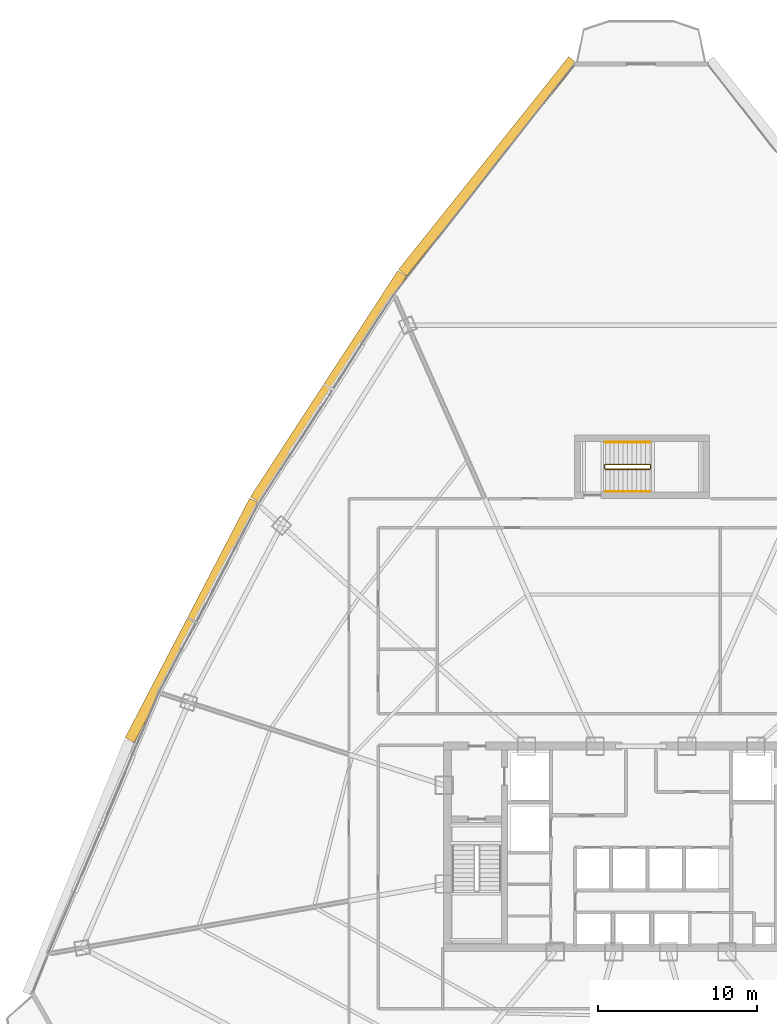
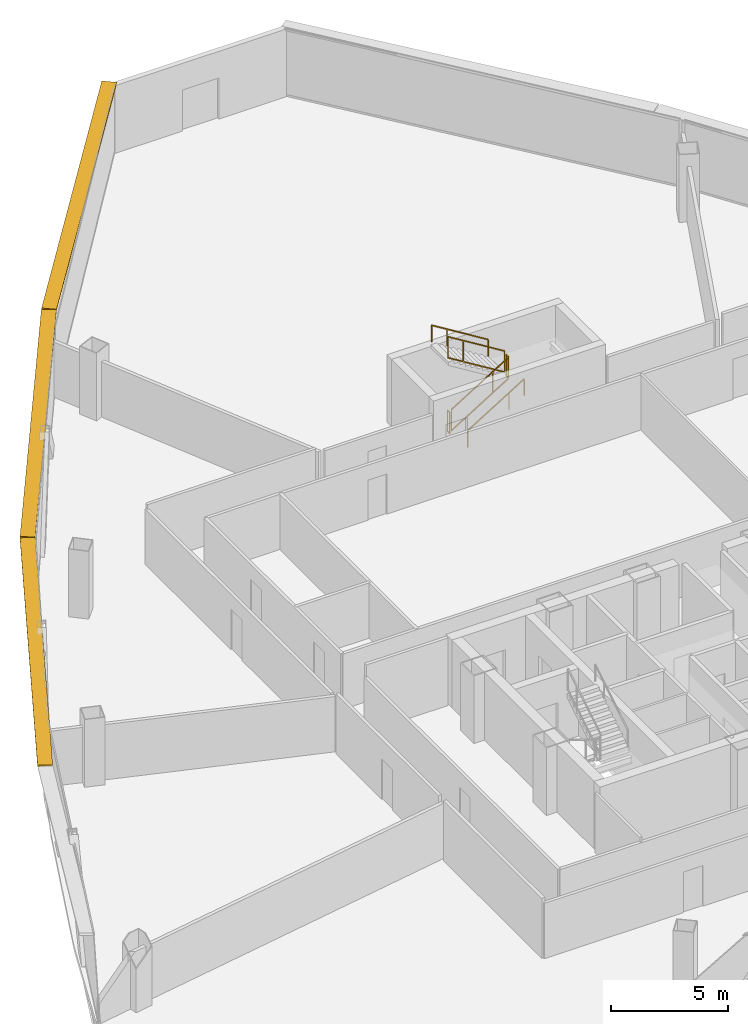
# One storey, part 36 of 37: 6 railings, 3 shading devices.
"""IFC4 building model written with IfcOpenShell, lengths in metres."""

from ifc_helpers import new_model, si_unit, direction, frame, origin, origin_2d, place, context, subcontext, project, spatial, rectangle, extrude, source, transform, mapped, material, layer, layer_set, type_object, element, save


model = new_model("IFC4")

# Units and contexts
model_context = context("Model", 3, precision=1e-05, world=origin(), true_north=direction((0.0, 1.0)))
body_context = subcontext(model_context, "Body", "Model", "MODEL_VIEW")
ifc_project = project(units=[si_unit("LENGTHUNIT", "METRE"), si_unit("AREAUNIT", "SQUARE_METRE"), si_unit("VOLUMEUNIT", "CUBIC_METRE"), si_unit("PLANEANGLEUNIT", "RADIAN"), si_unit("MASSUNIT", "GRAM", prefix="KILO"), si_unit("THERMODYNAMICTEMPERATUREUNIT", "KELVIN"), si_unit("POWERUNIT", "WATT")], contexts=[model_context])

# Site, building, storey
site_placement = place(None, origin())
site = spatial("IfcSite", under=ifc_project, at=site_placement, CompositionType="ELEMENT")
building_placement = place(site_placement, origin())
building = spatial("IfcBuilding", under=site, at=building_placement, Name="Yunzhuo Pagoda Commons", CompositionType="ELEMENT")
storey_placement = place(building_placement, frame((0.0, 0.0, 196.159912109375)))
storey = spatial("IfcBuildingStorey", under=building, at=storey_placement, Name="L49", CompositionType="ELEMENT", Elevation=196.159912109375)

# Railings
ifc_material = material(Name="Anodized aluminium 6063-T6", Category="aluminium")
railing_type_1 = type_object("IfcRailingType", Name="GR-ST3 North Well Guardrail 1155", PredefinedType="GUARDRAIL", material=ifc_material)
railing_1_placement = place(storey_placement, frame((45.75, 57.64990234375, 0.1728515625)))
element("IfcRailing", 1, at=railing_1_placement, inside=storey, type_object=railing_type_1, Name="L49 ST3 stair guard 1", PredefinedType="GUARDRAIL", context=body_context, shape_type="SweptSolid", body=[
    extrude(rectangle(XDim=0.048095703125, YDim=0.048095703125, at=origin_2d()), frame((0.0, 0.0, 1.1259765625), z_axis=(0.851089632645, 0.0, 0.525020415988), x_axis=(0.0, 1.0, 0.0)), (0.0, 0.0, 1.0), 3.2900390625),
    extrude(rectangle(XDim=0.048095703125, YDim=0.048095703125, at=origin_2d()), frame((0.0, 0.0, 0.02392578125), z_axis=(0.851089632645, 0.0, 0.525020415988), x_axis=(0.0, 1.0, 0.0)), (0.0, 0.0, 1.0), 3.2900390625),
    extrude(rectangle(XDim=0.0419921875, YDim=0.0419921875, at=origin_2d()), origin(), (0.0, 0.0, 1.0), 1.101806640625),
    extrude(rectangle(XDim=0.0419921875, YDim=0.0419921875, at=origin_2d()), frame((2.042724609375, 0.0, 1.260009765625)), (0.0, 0.0, 1.0), 1.101806640625),
    extrude(rectangle(XDim=0.0419921875, YDim=0.0419921875, at=origin_2d()), frame((2.800048828125, 0.0, 1.727294921875)), (0.0, 0.0, 1.0), 1.101806640625),
])
railing_2_placement = place(storey_placement, frame((48.60009765625, 57.699951171875, 1.900146484375)))
element("IfcRailing", 2, at=railing_2_placement, inside=storey, type_object=railing_type_1, Name="L49 ST3 stair guard 2", PredefinedType="GUARDRAIL", context=body_context, shape_type="SweptSolid", body=[
    extrude(rectangle(XDim=0.048095703125, YDim=0.048095703125, at=origin_2d()), frame((0.0, 0.0, 1.1259765625), z_axis=(0.0, 1.0, 0.0), x_axis=(-1.0, 0.0, 0.0)), (0.0, 0.0, 1.0), 0.199951171875),
    extrude(rectangle(XDim=0.048095703125, YDim=0.048095703125, at=origin_2d()), frame((0.0, 0.0, 0.02392578125), z_axis=(0.0, 1.0, 0.0), x_axis=(-1.0, 0.0, 0.0)), (0.0, 0.0, 1.0), 0.199951171875),
    extrude(rectangle(XDim=0.0419921875, YDim=0.0419921875, at=origin_2d()), origin(), (0.0, 0.0, 1.0), 1.101806640625),
    extrude(rectangle(XDim=0.0419921875, YDim=0.0419921875, at=origin_2d()), frame((0.0, 0.199951171875, 0.0)), (0.0, 0.0, 1.0), 1.101806640625),
])
railing_3_placement = place(storey_placement, frame((48.550048828125, 57.949951171875, 2.07275390625)))
element("IfcRailing", 3, at=railing_3_placement, inside=storey, type_object=railing_type_1, Name="L49 ST3 stair guard 3", PredefinedType="GUARDRAIL", context=body_context, shape_type="SweptSolid", body=[
    extrude(rectangle(XDim=0.048095703125, YDim=0.048095703125, at=origin_2d()), frame((0.0, 0.0, 1.1259765625), z_axis=(-0.851089632645, 0.0, 0.525020415988), x_axis=(0.0, -1.0, 0.0)), (0.0, 0.0, 1.0), 3.2900390625),
    extrude(rectangle(XDim=0.048095703125, YDim=0.048095703125, at=origin_2d()), frame((0.0, 0.0, 0.02392578125), z_axis=(-0.851089632645, 0.0, 0.525020415988), x_axis=(0.0, -1.0, 0.0)), (0.0, 0.0, 1.0), 3.2900390625),
    extrude(rectangle(XDim=0.0419921875, YDim=0.0419921875, at=origin_2d()), origin(), (0.0, 0.0, 1.0), 1.101806640625),
    extrude(rectangle(XDim=0.0419921875, YDim=0.0419921875, at=origin_2d()), frame((-2.042724609375, 0.0, 1.260009765625)), (0.0, 0.0, 1.0), 1.101806640625),
    extrude(rectangle(XDim=0.0419921875, YDim=0.0419921875, at=origin_2d()), frame((-2.800048828125, 0.0, 1.727294921875)), (0.0, 0.0, 1.0), 1.101806640625),
])
railing_4_placement = place(storey_placement, frame((45.699951171875, 57.699951171875, 0.0)))
element("IfcRailing", 4, at=railing_4_placement, inside=storey, type_object=railing_type_1, Name="L49 ST3 stair guard 4", PredefinedType="GUARDRAIL", context=body_context, shape_type="SweptSolid", body=[
    extrude(rectangle(XDim=0.048095703125, YDim=0.048095703125, at=origin_2d()), frame((0.0, 0.0, 1.1259765625), z_axis=(0.0, 1.0, 0.0), x_axis=(-1.0, 0.0, 0.0)), (0.0, 0.0, 1.0), 0.199951171875),
    extrude(rectangle(XDim=0.048095703125, YDim=0.048095703125, at=origin_2d()), frame((0.0, 0.0, 0.02392578125), z_axis=(0.0, 1.0, 0.0), x_axis=(-1.0, 0.0, 0.0)), (0.0, 0.0, 1.0), 0.199951171875),
    extrude(rectangle(XDim=0.0419921875, YDim=0.0419921875, at=origin_2d()), origin(), (0.0, 0.0, 1.0), 1.101806640625),
    extrude(rectangle(XDim=0.0419921875, YDim=0.0419921875, at=origin_2d()), frame((0.0, 0.199951171875, 0.0)), (0.0, 0.0, 1.0), 1.101806640625),
])
railing_type_2 = type_object("IfcRailingType", Name="HR-ST3 North Stair Handrail 900", PredefinedType="HANDRAIL", material=ifc_material)
railing_5_placement = place(storey_placement, frame((45.75, 56.25, 0.1728515625)))
element("IfcRailing", 5, at=railing_5_placement, inside=storey, type_object=railing_type_2, Name="L49 ST3 stair handrail 1", PredefinedType="HANDRAIL", context=body_context, shape_type="SweptSolid", body=[
    extrude(rectangle(XDim=0.048095703125, YDim=0.048095703125, at=origin_2d()), frame((0.0, 0.0, 0.8759765625), z_axis=(0.851089632645, 0.0, 0.525020415988), x_axis=(0.0, 1.0, 0.0)), (0.0, 0.0, 1.0), 3.2900390625),
    extrude(rectangle(XDim=0.0419921875, YDim=0.0419921875, at=origin_2d()), origin(), (0.0, 0.0, 1.0), 0.851806640625),
    extrude(rectangle(XDim=0.0419921875, YDim=0.0419921875, at=origin_2d()), frame((2.042724609375, 0.0, 1.260009765625)), (0.0, 0.0, 1.0), 0.851806640625),
    extrude(rectangle(XDim=0.0419921875, YDim=0.0419921875, at=origin_2d()), frame((2.800048828125, 0.0, 1.727294921875)), (0.0, 0.0, 1.0), 0.851806640625),
])
railing_6_placement = place(storey_placement, frame((48.550048828125, 59.35009765625, 2.07275390625)))
element("IfcRailing", 6, at=railing_6_placement, inside=storey, type_object=railing_type_2, Name="L49 ST3 stair handrail 2", PredefinedType="HANDRAIL", context=body_context, shape_type="SweptSolid", body=[
    extrude(rectangle(XDim=0.048095703125, YDim=0.048095703125, at=origin_2d()), frame((0.0, 0.0, 0.8759765625), z_axis=(-0.851089632645, 0.0, 0.525020415988), x_axis=(0.0, -1.0, 0.0)), (0.0, 0.0, 1.0), 3.2900390625),
    extrude(rectangle(XDim=0.0419921875, YDim=0.0419921875, at=origin_2d()), origin(), (0.0, 0.0, 1.0), 0.851806640625),
    extrude(rectangle(XDim=0.0419921875, YDim=0.0419921875, at=origin_2d()), frame((-2.042724609375, 0.0, 1.260009765625)), (0.0, 0.0, 1.0), 0.851806640625),
    extrude(rectangle(XDim=0.0419921875, YDim=0.0419921875, at=origin_2d()), frame((-2.800048828125, 0.0, 1.727294921875)), (0.0, 0.0, 1.0), 0.851806640625),
])

# Shading devices
ifc_layer = layer(ifc_material, 0.080078125)
ifc_layer_set = layer_set([ifc_layer], Name="Anodized aluminium 6063-T6")
shading_device_type = type_object("IfcShadingDeviceType", Name="SH-SUN1 Pagoda Horizontal Sunshade Eave 650", PredefinedType="USERDEFINED", material=ifc_layer_set)
shared_shape_1 = source(origin(), body_context, "Body", "SweptSolid", [
    extrude(rectangle(XDim=17.16650390625, YDim=0.64990234375, at=origin_2d()), origin(), (0.0, 0.0, 1.0), 0.080078125),
])
shading_device_1_placement = place(storey_placement, frame((38.339599609375, 76.728271484375, 3.4599609375), z_axis=(0.0, 0.0, 1.0), x_axis=(-0.624520471688, -0.781008438138, 0.0)))
element("IfcShadingDevice", 7, at=shading_device_1_placement, inside=storey, type_object=shading_device_type, Name="L49 horizontal pagoda sunshade eave F3.1", ObjectType="SUNSHADE", PredefinedType="USERDEFINED", context=body_context, shape_type="MappedRepresentation", body=[
    mapped(shared_shape_1, transform((0.0, 0.0, 0.0), scale=1.0)),
])
shared_shape_2 = source(origin(), body_context, "Body", "SweptSolid", [
    extrude(rectangle(XDim=17.003662109375, YDim=0.64990234375, at=origin_2d()), origin(), (0.0, 0.0, 1.0), 0.080078125),
])
shading_device_2_placement = place(storey_placement, frame((19.707763671875, 48.1279296875, 3.4599609375), z_axis=(0.0, 0.0, 1.0), x_axis=(-0.461206683033, -0.88729273384, 0.0)))
element("IfcShadingDevice", 8, at=shading_device_2_placement, inside=storey, type_object=shading_device_type, Name="L49 horizontal pagoda sunshade eave F3.3", ObjectType="SUNSHADE", PredefinedType="USERDEFINED", context=body_context, shape_type="MappedRepresentation", body=[
    mapped(shared_shape_2, transform((0.0, 0.0, 0.0), scale=1.0)),
])
shared_shape_3 = source(origin(), body_context, "Body", "SweptSolid", [
    extrude(rectangle(XDim=17.00341796875, YDim=0.64990234375, at=origin_2d()), origin(), (0.0, 0.0, 1.0), 0.080078125),
])
shading_device_3_placement = place(storey_placement, frame((28.301513671875, 62.849853515625, 3.4599609375), z_axis=(0.0, 0.0, 1.0), x_axis=(-0.545838756973, -0.837890238269, 0.0)))
element("IfcShadingDevice", 9, at=shading_device_3_placement, inside=storey, type_object=shading_device_type, Name="L49 horizontal pagoda sunshade eave F3.2", ObjectType="SUNSHADE", PredefinedType="USERDEFINED", context=body_context, shape_type="MappedRepresentation", body=[
    mapped(shared_shape_3, transform((0.0, 0.0, 0.0), scale=1.0)),
])

save(model, "model.ifc")
